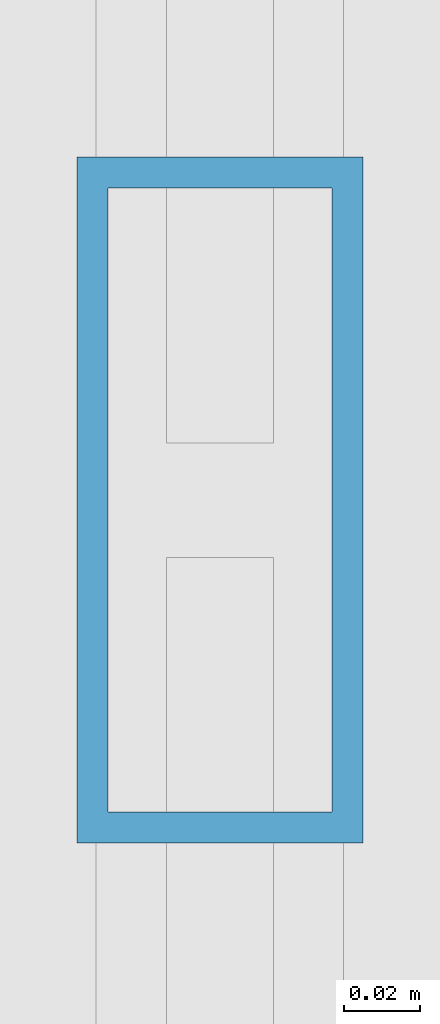
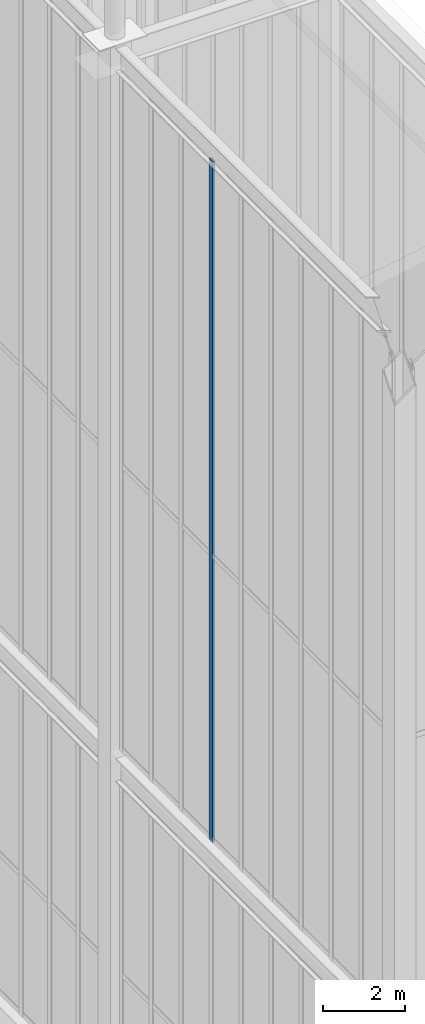
# One storey, part 65 of 135: 1 member, 1 element without a shape of its own.
"""IFC4 building model written with IfcOpenShell, lengths in metres."""

from ifc_helpers import new_model, si_unit, direction, frame, origin, origin_2d, place, context, subcontext, project, spatial, hollow_rectangle, extrude, source, transform, mapped, material, layer, layer_set, material_profile, profile_set, type_object, element, aggregate, save


model = new_model("IFC4")

# Units and contexts
model_context = context("Model", 3, precision=1e-05, world=origin(), true_north=direction((0.0, 1.0)))
body_context = subcontext(model_context, "Body", "Model", "MODEL_VIEW")
ifc_project = project(units=[si_unit("LENGTHUNIT", "METRE"), si_unit("AREAUNIT", "SQUARE_METRE"), si_unit("VOLUMEUNIT", "CUBIC_METRE"), si_unit("PLANEANGLEUNIT", "RADIAN"), si_unit("MASSUNIT", "GRAM", prefix="KILO")], contexts=[model_context])

# Site, building, storey
site_placement = place(None, origin())
site = spatial("IfcSite", under=ifc_project, at=site_placement, CompositionType="ELEMENT")
building_placement = place(site_placement, origin())
building = spatial("IfcBuilding", under=site, at=building_placement, Name="Giltprow Tower", CompositionType="ELEMENT")
storey_placement = place(building_placement, frame((0.0, 0.0, 352.699951171875)))
storey = spatial("IfcBuildingStorey", under=building, at=storey_placement, Name="L92", CompositionType="ELEMENT", Elevation=352.699951171875)

# Curtain wall, member
ifc_material = material(Name="Anodized bronze", Category="metal")
ifc_layer = layer(ifc_material, 0.179931640625, Name="Anodized bronze")
ifc_layer_set = layer_set([ifc_layer], Name="Anodized bronze")
curtain_wall_type = type_object("IfcCurtainWallType", Name="CW-CROWN-LANTERN", PredefinedType="NOTDEFINED", material=ifc_layer_set)
curtain_wall_placement = place(storey_placement, origin())
curtain_wall = element("IfcCurtainWall", 1, at=curtain_wall_placement, inside=storey, type_object=curtain_wall_type, Name="Crown East Upper Lantern Glazing 6", PredefinedType="NOTDEFINED")
ifc_material_profile = material_profile(ifc_material, hollow_rectangle(XDim=0.074951171875, YDim=0.179931640625, WallThickness=0.008056640625, at=origin_2d()), Name="RHS 180x75x8")
ifc_profile_set = profile_set([ifc_material_profile], Name="Anodized bronze")
member_type = type_object("IfcMemberType", Name="CW-MULLION-180x75", PredefinedType="MULLION", material=ifc_profile_set)
shared_shape = source(origin(), body_context, "Body", "SweptSolid", [
    extrude(hollow_rectangle(XDim=0.074951171875, YDim=0.179931640625, WallThickness=0.008056640625, at=origin_2d()), origin(), (0.0, 0.0, 1.0), 20.406005859375),
])
member_placement = place(storey_placement, frame((44.300048828125, 32.68310546875, 17.25), z_axis=(0.0, 0.0, 1.0), x_axis=(1.0, 0.0, 0.0)))
member = element("IfcMember", 2, at=member_placement, type_object=member_type, Name="Crown East Upper Lantern Glazing 6 Mullion 4", PredefinedType="MULLION", context=body_context, shape_type="MappedRepresentation", body=[
    mapped(shared_shape, transform((0.0, 0.0, 0.0), x_axis=(1.0, 0.0, 0.0), y_axis=(0.0, 1.0, 0.0), z_axis=(0.0, 0.0, 1.0), scale=1.0)),
])
aggregate(curtain_wall, [member])

save(model, "model.ifc")
